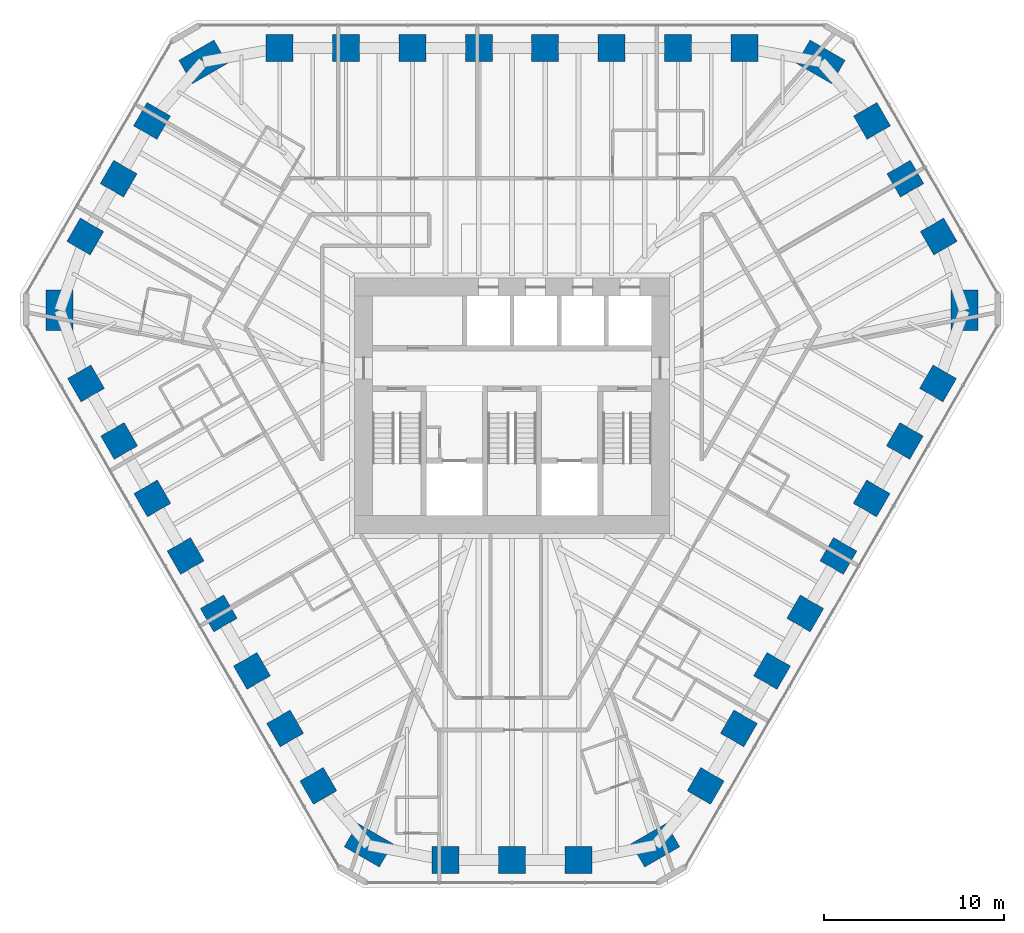
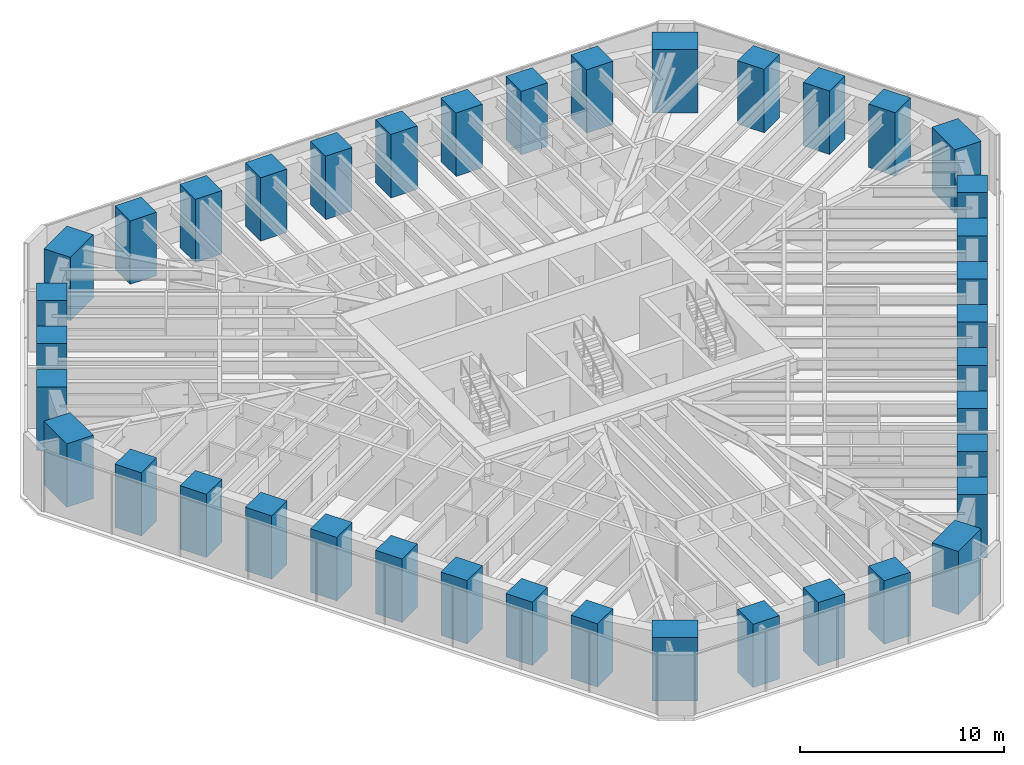
# One storey, part 1 of 16: 39 columns.
"""IFC4 building model written with IfcOpenShell, lengths in metres."""

from ifc_helpers import new_model, si_unit, direction, frame, origin, origin_2d, place, context, subcontext, project, spatial, rectangle, extrude, material, material_profile, profile_set, type_object, element, save


model = new_model("IFC4")

# Units and contexts
model_context = context("Model", 3, precision=1e-05, world=origin(), true_north=direction((0.0, 1.0)))
body_context = subcontext(model_context, "Body", "Model", "MODEL_VIEW")
ifc_project = project(units=[si_unit("LENGTHUNIT", "METRE"), si_unit("AREAUNIT", "SQUARE_METRE"), si_unit("VOLUMEUNIT", "CUBIC_METRE"), si_unit("PLANEANGLEUNIT", "RADIAN"), si_unit("MASSUNIT", "GRAM", prefix="KILO")], contexts=[model_context])

# Site, building, storey
site_placement = place(None, origin())
site = spatial("IfcSite", under=ifc_project, at=site_placement, CompositionType="ELEMENT")
building_placement = place(site_placement, origin())
building = spatial("IfcBuilding", under=site, at=building_placement, Name="Sandreach Pilgrim Tower", CompositionType="ELEMENT")
storey_placement = place(building_placement, frame((0.0, 0.0, 225.0)))
storey = spatial("IfcBuildingStorey", under=building, at=storey_placement, Name="L56", CompositionType="ELEMENT", Elevation=225.0)

# Columns
ifc_material_1 = material(Name="Concrete 10000 psi", Category="concrete")
ifc_material_profile_1 = material_profile(ifc_material_1, rectangle(XDim=1.5, YDim=1.5, at=origin_2d()), Name="RC1500X1500")
ifc_profile_set_1 = profile_set([ifc_material_profile_1], Name="Concrete 10000 psi")
column_type_1 = type_object("IfcColumnType", Name="Tube column RC1500X1500", PredefinedType="COLUMN", material=ifc_profile_set_1)
for number, where, z_axis, x_axis, name in (
    (1, (-12.923828125, 19.900146484375, 0.0), (0.0, 0.0, 1.0), (0.0, 1.0, 0.0), "COL L56 T01"),
    (2, (-9.231201171875, 19.900146484375, 0.0), (0.0, 0.0, 1.0), (0.0, 1.0, 0.0), "COL L56 T02"),
    (3, (-5.538818359375, 19.900146484375, 0.0), (0.0, 0.0, 1.0), (0.0, 1.0, 0.0), "COL L56 T03"),
    (4, (-1.84619140625, 19.900146484375, 0.0), (0.0, 0.0, 1.0), (0.0, 1.0, 0.0), "COL L56 T04"),
    (5, (1.84619140625, 19.900146484375, 0.0), (0.0, 0.0, 1.0), (0.0, 1.0, 0.0), "COL L56 T05"),
    (6, (5.538818359375, 19.900146484375, 0.0), (0.0, 0.0, 1.0), (0.0, 1.0, 0.0), "COL L56 T06"),
    (7, (9.231201171875, 19.900146484375, 0.0), (0.0, 0.0, 1.0), (0.0, 1.0, 0.0), "COL L56 T07"),
    (8, (12.923828125, 19.900146484375, 0.0), (0.0, 0.0, 1.0), (0.0, 1.0, 0.0), "COL L56 T08"),
    (9, (20.025146484375, 15.845947265625, 0.0), (0.0, 0.0, 1.0), (0.866025403784, 0.5, 0.0), "COL L56 T10"),
    (10, (21.88037109375, 12.632568359375, 0.0), (0.0, 0.0, 1.0), (0.866025403784, 0.5, 0.0), "COL L56 T11"),
    (11, (23.7353515625, 9.419189453125, 0.0), (0.0, 0.0, 1.0), (0.866025403784, 0.5, 0.0), "COL L56 T12"),
    (12, (23.69580078125, 1.2421875, 0.0), (0.0, 0.0, 1.0), (0.866025403784, -0.5, 0.0), "COL L56 T14"),
    (13, (21.849609375, -1.95556640625, 0.0), (0.0, 0.0, 1.0), (0.866025403784, -0.5, 0.0), "COL L56 T15"),
    (14, (20.00341796875, -5.1533203125, 0.0), (0.0, 0.0, 1.0), (0.866025403784, -0.5, 0.0), "COL L56 T16"),
    (15, (18.1572265625, -8.35107421875, 0.0), (0.0, 0.0, 1.0), (0.866025403784, -0.5, 0.0), "COL L56 T17"),
    (16, (16.310791015625, -11.548828125, 0.0), (0.0, 0.0, 1.0), (0.866025403784, -0.5, 0.0), "COL L56 T18"),
    (17, (14.464599609375, -14.746826171875, 0.0), (0.0, 0.0, 1.0), (0.866025403784, -0.5, 0.0), "COL L56 T19"),
    (18, (12.618408203125, -17.944580078125, 0.0), (0.0, 0.0, 1.0), (0.866025403784, -0.5, 0.0), "COL L56 T20"),
    (19, (10.772216796875, -21.142333984375, 0.0), (0.0, 0.0, 1.0), (0.866025403784, -0.5, 0.0), "COL L56 T21"),
    (20, (3.71044921875, -25.26513671875, 0.0), (0.0, 0.0, 1.0), (0.0, -1.0, 0.0), "COL L56 T23"),
    (21, (0.0, -25.26513671875, 0.0), (0.0, 0.0, 1.0), (0.0, -1.0, 0.0), "COL L56 T24"),
    (22, (-3.71044921875, -25.26513671875, 0.0), (0.0, 0.0, 1.0), (0.0, -1.0, 0.0), "COL L56 T25"),
    (23, (-10.772216796875, -21.142333984375, 0.0), (0.0, 0.0, 1.0), (-0.866025403784, -0.5, 0.0), "COL L56 T27"),
    (24, (-12.618408203125, -17.944580078125, 0.0), (0.0, 0.0, 1.0), (-0.866025403784, -0.5, 0.0), "COL L56 T28"),
    (25, (-14.464599609375, -14.746826171875, 0.0), (0.0, 0.0, 1.0), (-0.866025403784, -0.5, 0.0), "COL L56 T29"),
    (26, (-16.310791015625, -11.548828125, 0.0), (0.0, 0.0, 1.0), (-0.866025403784, -0.5, 0.0), "COL L56 T30"),
    (27, (-18.1572265625, -8.35107421875, 0.0), (0.0, 0.0, 1.0), (-0.866025403784, -0.5, 0.0), "COL L56 T31"),
    (28, (-20.00341796875, -5.1533203125, 0.0), (0.0, 0.0, 1.0), (-0.866025403784, -0.5, 0.0), "COL L56 T32"),
    (29, (-21.849609375, -1.95556640625, 0.0), (0.0, 0.0, 1.0), (-0.866025403784, -0.5, 0.0), "COL L56 T33"),
    (30, (-23.69580078125, 1.2421875, 0.0), (0.0, 0.0, 1.0), (-0.866025403784, -0.5, 0.0), "COL L56 T34"),
    (31, (-23.7353515625, 9.419189453125, 0.0), (0.0, 0.0, 1.0), (-0.866025403784, 0.5, 0.0), "COL L56 T36"),
    (32, (-21.88037109375, 12.632568359375, 0.0), (0.0, 0.0, 1.0), (-0.866025403784, 0.5, 0.0), "COL L56 T37"),
    (33, (-20.025146484375, 15.845947265625, 0.0), (0.0, 0.0, 1.0), (-0.866025403784, 0.5, 0.0), "COL L56 T38"),
):
    element("IfcColumn", number, at=place(storey_placement, frame(where, z_axis=z_axis, x_axis=x_axis)), inside=storey, type_object=column_type_1, Name=name, PredefinedType="COLUMN", context=body_context, shape_type="SweptSolid", body=[
        extrude(rectangle(XDim=1.5, YDim=1.5, at=origin_2d()), origin(), (0.0, 0.0, 1.0), 3.800048828125),
    ])
ifc_material_2 = material(Name="Concrete 10000 psi", Category="concrete")
ifc_material_profile_2 = material_profile(ifc_material_2, rectangle(XDim=1.5, YDim=2.25, at=origin_2d()), Name="RC1500X2250")
ifc_profile_set_2 = profile_set([ifc_material_profile_2], Name="Concrete 10000 psi")
column_type_2 = type_object("IfcColumnType", Name="Tube corner pier RC1500X2250", PredefinedType="COLUMN", material=ifc_profile_set_2)
for number, where, z_axis, x_axis, name in (
    (34, (17.177978515625, 19.130615234375, 0.0), (0.0, 0.0, 1.0), (0.5, 0.866025403784, 0.0), "COL L56 T09"),
    (35, (25.156494140625, 5.311279296875, 0.0), (0.0, 0.0, 1.0), (1.0, 0.0, 0.0), "COL L56 T13"),
    (36, (7.978515625, -24.44189453125, 0.0), (0.0, 0.0, 1.0), (0.5, -0.866025403784, 0.0), "COL L56 T22"),
    (37, (-7.978515625, -24.44189453125, 0.0), (0.0, 0.0, 1.0), (-0.5, -0.866025403784, 0.0), "COL L56 T26"),
    (38, (-25.156494140625, 5.311279296875, 0.0), (0.0, 0.0, 1.0), (-1.0, 0.0, 0.0), "COL L56 T35"),
    (39, (-17.177978515625, 19.130615234375, 0.0), (0.0, 0.0, 1.0), (-0.5, 0.866025403784, 0.0), "COL L56 T39"),
):
    element("IfcColumn", number, at=place(storey_placement, frame(where, z_axis=z_axis, x_axis=x_axis)), inside=storey, type_object=column_type_2, Name=name, PredefinedType="COLUMN", context=body_context, shape_type="SweptSolid", body=[
        extrude(rectangle(XDim=1.5, YDim=2.25, at=origin_2d()), origin(), (0.0, 0.0, 1.0), 3.800048828125),
    ])

save(model, "model.ifc")
